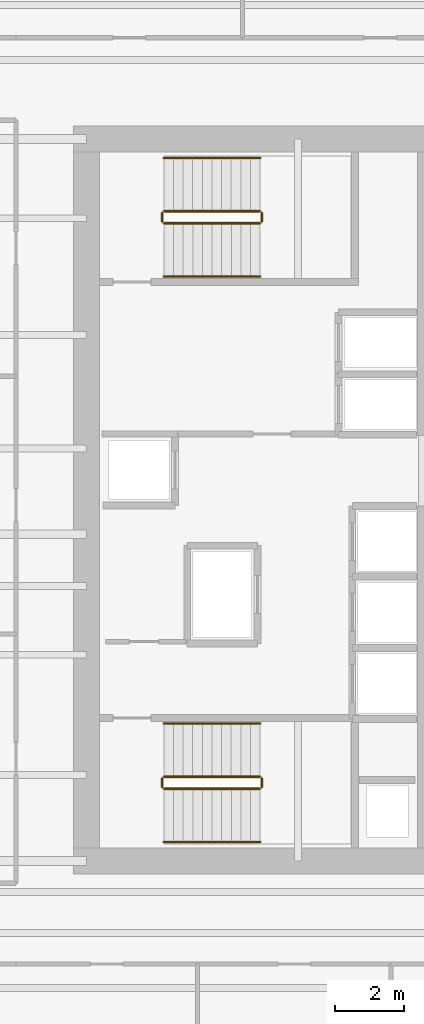
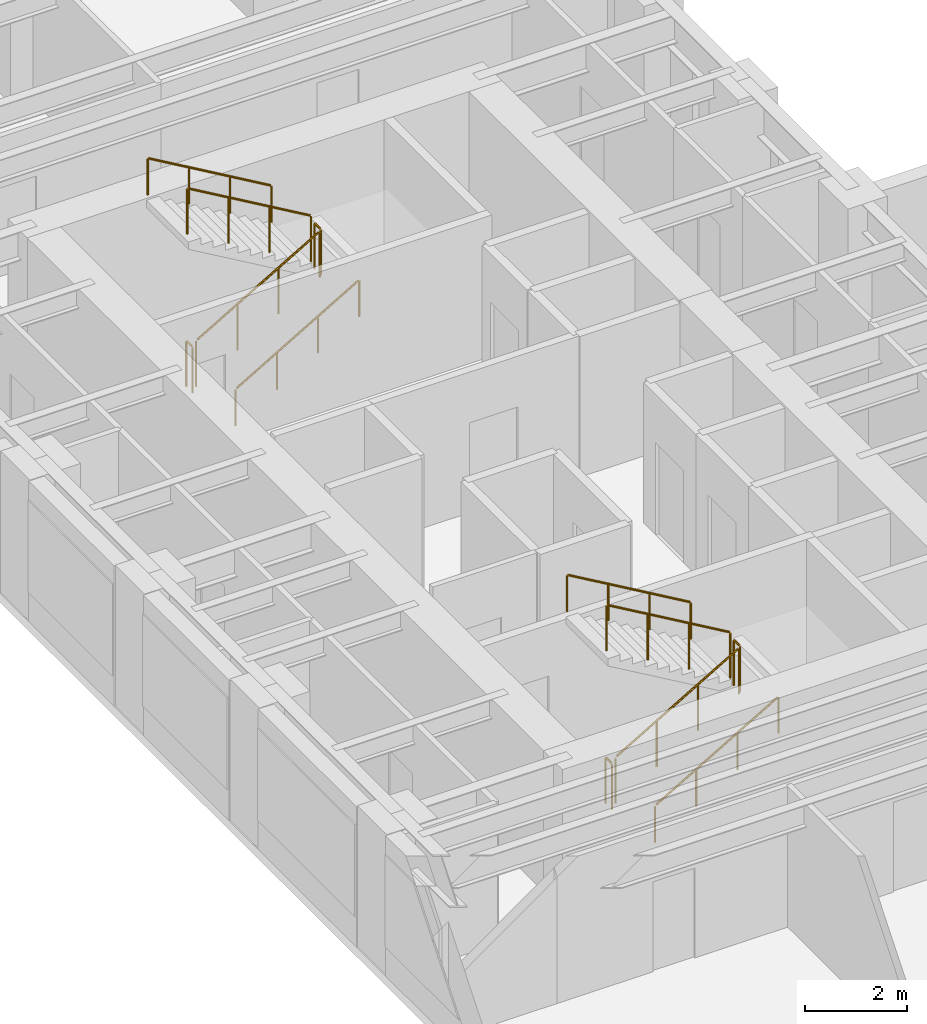
# One storey, part 13 of 14: 12 railings.
"""IFC4 building model written with IfcOpenShell, lengths in metres."""

from ifc_helpers import new_model, si_unit, direction, frame, origin, origin_2d, place, context, subcontext, project, spatial, circle, extrude, source, transform, mapped, material, layer, layer_set, type_object, element, save


model = new_model("IFC4")

# Units and contexts
model_context = context("Model", 3, precision=1e-05, world=origin(), true_north=direction((0.0, 1.0)))
body_context = subcontext(model_context, "Body", "Model", "MODEL_VIEW")
ifc_project = project(units=[si_unit("LENGTHUNIT", "METRE"), si_unit("AREAUNIT", "SQUARE_METRE"), si_unit("VOLUMEUNIT", "CUBIC_METRE"), si_unit("PLANEANGLEUNIT", "RADIAN"), si_unit("MASSUNIT", "GRAM", prefix="KILO")], contexts=[model_context])

# Site, building, storey
site_placement = place(None, origin())
site = spatial("IfcSite", under=ifc_project, at=site_placement, CompositionType="ELEMENT")
building_placement = place(site_placement, origin())
building = spatial("IfcBuilding", under=site, at=building_placement, Name="Kharzan Plaza Tower", CompositionType="ELEMENT")
storey_placement = place(building_placement, frame((0.0, 0.0, 81.0)))
storey = spatial("IfcBuildingStorey", under=building, at=storey_placement, Name="L21", CompositionType="ELEMENT", Elevation=81.0)

# Railings
ifc_material_1 = material(Name="Painted Galvanized Architectural Steel", Category="steel")
ifc_layer_1 = layer(ifc_material_1, 0.074951171875)
ifc_layer_set_1 = layer_set([ifc_layer_1], Name="Painted Galvanized Architectural Steel")
railing_type_1 = type_object("IfcRailingType", Name="RL-GUARD-1120", PredefinedType="BALUSTRADE", material=ifc_layer_set_1)
shared_shape_1 = source(origin(), body_context, "Body", "SweptSolid", [
    extrude(circle(Radius=0.02392578125, at=origin_2d()), frame((0.0, 0.0263671875, 1.09619140625), z_axis=(0.0, 1.0, 0.0), x_axis=(-1.0, 0.0, 0.0)), (0.0, 0.0, 1.0), 0.197021484375),
    extrude(circle(Radius=0.02099609375, at=origin_2d()), origin(), (0.0, 0.0, 1.0), 1.072021484375),
    extrude(circle(Radius=0.02099609375, at=origin_2d()), frame((0.0, 0.25, 0.0)), (0.0, 0.0, 1.0), 1.072021484375),
])
for number, where, name in (
    (1, (9.60009765625, 10.64990234375, 1.800048828125), "L21 ST-1 stair guard 2"),
    (2, (6.699951171875, 10.64990234375, 0.0), "L21 ST-1 stair guard 4"),
    (3, (9.60009765625, 27.10009765625, 1.800048828125), "L21 ST-2 stair guard 2"),
    (4, (6.699951171875, 27.10009765625, 0.0), "L21 ST-2 stair guard 4"),
):
    element("IfcRailing", number, at=place(storey_placement, frame(where)), inside=storey, type_object=railing_type_1, Name=name, PredefinedType="BALUSTRADE", context=body_context, shape_type="MappedRepresentation", body=[
        mapped(shared_shape_1, transform((0.0, 0.0, 0.0), x_axis=(1.0, 0.0, 0.0), y_axis=(0.0, 1.0, 0.0), z_axis=(0.0, 0.0, 1.0))),
    ])
shared_shape_2 = source(origin(), body_context, "Body", "SweptSolid", [
    extrude(circle(Radius=0.02392578125, at=origin_2d()), frame((0.02294921875, 0.0, 1.109375), z_axis=(0.863360870873, 0.0, 0.504586966384), x_axis=(0.0, 1.0, 0.0)), (0.0, 0.0, 1.0), 3.190185546875),
    extrude(circle(Radius=0.02099609375, at=origin_2d()), origin(), (0.0, 0.0, 1.0), 1.072021484375),
    extrude(circle(Radius=0.02099609375, at=origin_2d()), frame((0.933349609375, 0.0, 0.54541015625)), (0.0, 0.0, 1.0), 1.072021484375),
    extrude(circle(Radius=0.02099609375, at=origin_2d()), frame((1.86669921875, 0.0, 1.091064453125)), (0.0, 0.0, 1.0), 1.072021484375),
    extrude(circle(Radius=0.02099609375, at=origin_2d()), frame((2.800048828125, 0.0, 1.636474609375)), (0.0, 0.0, 1.0), 1.072021484375),
])
for number, where, name in (
    (5, (6.75, 10.60009765625, 0.16357421875), "L21 ST-1 stair guard 1"),
    (6, (6.75, 27.050048828125, 0.16357421875), "L21 ST-2 stair guard 1"),
):
    element("IfcRailing", number, at=place(storey_placement, frame(where)), inside=storey, type_object=railing_type_1, Name=name, PredefinedType="BALUSTRADE", context=body_context, shape_type="MappedRepresentation", body=[
        mapped(shared_shape_2, transform((0.0, 0.0, 0.0), x_axis=(1.0, 0.0, 0.0), y_axis=(0.0, 1.0, 0.0), z_axis=(0.0, 0.0, 1.0))),
    ])
shared_shape_3 = source(origin(), body_context, "Body", "SweptSolid", [
    extrude(circle(Radius=0.02392578125, at=origin_2d()), frame((-0.02294921875, 0.0, 1.109375), z_axis=(-0.863360870873, 0.0, 0.504586966384), x_axis=(0.0, -1.0, 0.0)), (0.0, 0.0, 1.0), 3.190185546875),
    extrude(circle(Radius=0.02099609375, at=origin_2d()), origin(), (0.0, 0.0, 1.0), 1.072021484375),
    extrude(circle(Radius=0.02099609375, at=origin_2d()), frame((-0.933349609375, 0.0, 0.54541015625)), (0.0, 0.0, 1.0), 1.072021484375),
    extrude(circle(Radius=0.02099609375, at=origin_2d()), frame((-1.86669921875, 0.0, 1.091064453125)), (0.0, 0.0, 1.0), 1.072021484375),
    extrude(circle(Radius=0.02099609375, at=origin_2d()), frame((-2.800048828125, 0.0, 1.636474609375)), (0.0, 0.0, 1.0), 1.072021484375),
])
for number, where, name in (
    (7, (9.550048828125, 10.949951171875, 1.963623046875), "L21 ST-1 stair guard 3"),
    (8, (9.550048828125, 27.39990234375, 1.963623046875), "L21 ST-2 stair guard 3"),
):
    element("IfcRailing", number, at=place(storey_placement, frame(where)), inside=storey, type_object=railing_type_1, Name=name, PredefinedType="BALUSTRADE", context=body_context, shape_type="MappedRepresentation", body=[
        mapped(shared_shape_3, transform((0.0, 0.0, 0.0), x_axis=(1.0, 0.0, 0.0), y_axis=(0.0, 1.0, 0.0), z_axis=(0.0, 0.0, 1.0))),
    ])
ifc_material_2 = material(Name="Brushed Stainless Steel", Category="steel")
ifc_layer_2 = layer(ifc_material_2, 0.050048828125)
ifc_layer_set_2 = layer_set([ifc_layer_2], Name="Brushed Stainless Steel")
railing_type_2 = type_object("IfcRailingType", Name="RL-STAIR-HR920", PredefinedType="HANDRAIL", material=ifc_layer_set_2)
shared_shape_4 = source(origin(), body_context, "Body", "SweptSolid", [
    extrude(circle(Radius=0.02392578125, at=origin_2d()), frame((0.02294921875, 0.0, 0.88916015625), z_axis=(0.863360870873, 0.0, 0.504586966384), x_axis=(0.0, 1.0, 0.0)), (0.0, 0.0, 1.0), 3.190185546875),
    extrude(circle(Radius=0.02099609375, at=origin_2d()), origin(), (0.0, 0.0, 1.0), 0.851806640625),
    extrude(circle(Radius=0.02099609375, at=origin_2d()), frame((0.933349609375, 0.0, 0.54541015625)), (0.0, 0.0, 1.0), 0.851806640625),
    extrude(circle(Radius=0.02099609375, at=origin_2d()), frame((1.86669921875, 0.0, 1.091064453125)), (0.0, 0.0, 1.0), 0.851806640625),
    extrude(circle(Radius=0.02099609375, at=origin_2d()), frame((2.800048828125, 0.0, 1.636474609375)), (0.0, 0.0, 1.0), 0.851806640625),
])
for number, where, name in (
    (9, (6.75, 9.050048828125, 0.16357421875), "L21 ST-1 stair handrail 1"),
    (10, (6.75, 25.5, 0.16357421875), "L21 ST-2 stair handrail 1"),
):
    element("IfcRailing", number, at=place(storey_placement, frame(where)), inside=storey, type_object=railing_type_2, Name=name, PredefinedType="HANDRAIL", context=body_context, shape_type="MappedRepresentation", body=[
        mapped(shared_shape_4, transform((0.0, 0.0, 0.0), x_axis=(1.0, 0.0, 0.0), y_axis=(0.0, 1.0, 0.0), z_axis=(0.0, 0.0, 1.0))),
    ])
shared_shape_5 = source(origin(), body_context, "Body", "SweptSolid", [
    extrude(circle(Radius=0.02392578125, at=origin_2d()), frame((-0.02294921875, 0.0, 0.88916015625), z_axis=(-0.863360870873, 0.0, 0.504586966384), x_axis=(0.0, -1.0, 0.0)), (0.0, 0.0, 1.0), 3.190185546875),
    extrude(circle(Radius=0.02099609375, at=origin_2d()), origin(), (0.0, 0.0, 1.0), 0.851806640625),
    extrude(circle(Radius=0.02099609375, at=origin_2d()), frame((-0.933349609375, 0.0, 0.54541015625)), (0.0, 0.0, 1.0), 0.851806640625),
    extrude(circle(Radius=0.02099609375, at=origin_2d()), frame((-1.86669921875, 0.0, 1.091064453125)), (0.0, 0.0, 1.0), 0.851806640625),
    extrude(circle(Radius=0.02099609375, at=origin_2d()), frame((-2.800048828125, 0.0, 1.636474609375)), (0.0, 0.0, 1.0), 0.851806640625),
])
for number, where, name in (
    (11, (9.550048828125, 12.5, 1.963623046875), "L21 ST-1 stair handrail 2"),
    (12, (9.550048828125, 28.949951171875, 1.963623046875), "L21 ST-2 stair handrail 2"),
):
    element("IfcRailing", number, at=place(storey_placement, frame(where)), inside=storey, type_object=railing_type_2, Name=name, PredefinedType="HANDRAIL", context=body_context, shape_type="MappedRepresentation", body=[
        mapped(shared_shape_5, transform((0.0, 0.0, 0.0), x_axis=(1.0, 0.0, 0.0), y_axis=(0.0, 1.0, 0.0), z_axis=(0.0, 0.0, 1.0))),
    ])

save(model, "model.ifc")
